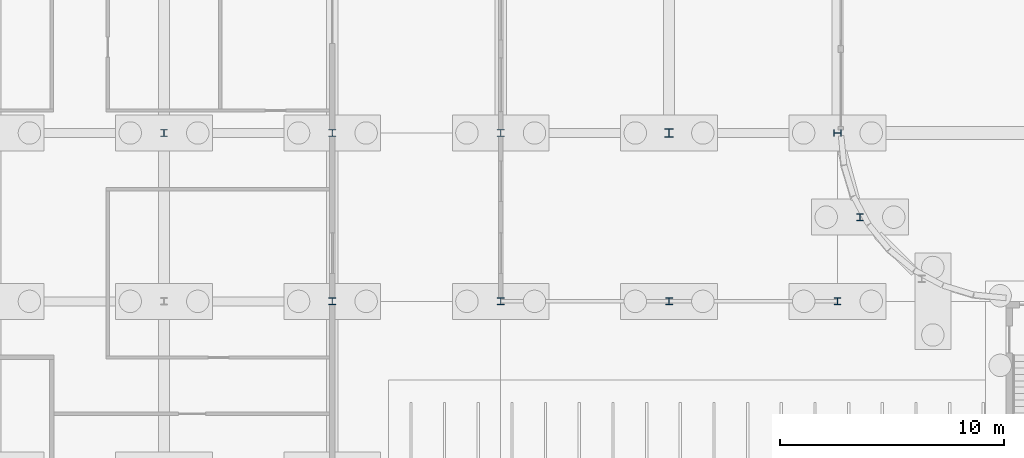
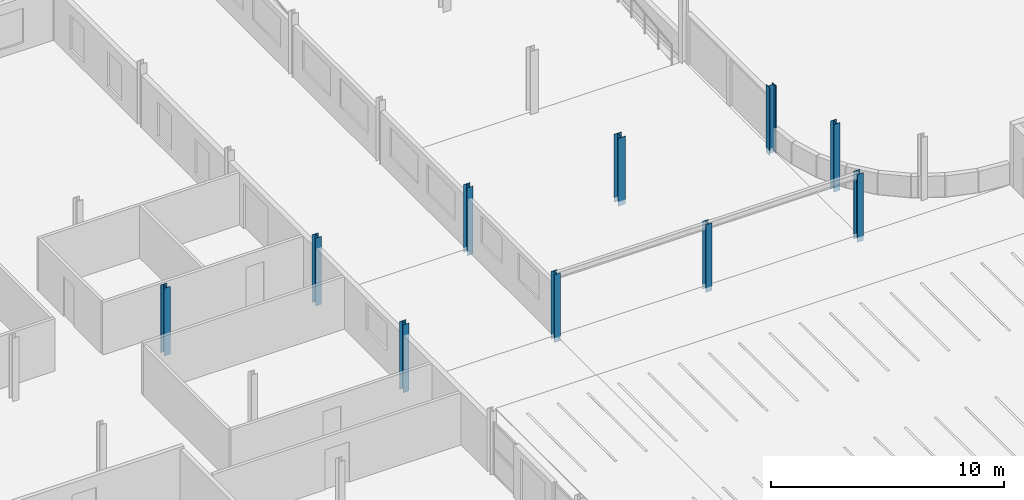
# One storey, part 27 of 130: 10 columns.
"""IFC4 building model written with IfcOpenShell, lengths in metres."""

from ifc_helpers import new_model, si_unit, direction, frame, origin, origin_2d, place, context, subcontext, project, spatial, i_section, extrude, material, material_profile, profile_set, type_object, element, save


model = new_model("IFC4")

# Units and contexts
model_context = context("Model", 3, precision=1e-05, world=origin(), true_north=direction((0.0, 1.0)))
body_context = subcontext(model_context, "Body", "Model", "MODEL_VIEW")
ifc_project = project(units=[si_unit("LENGTHUNIT", "METRE"), si_unit("AREAUNIT", "SQUARE_METRE"), si_unit("VOLUMEUNIT", "CUBIC_METRE"), si_unit("PLANEANGLEUNIT", "RADIAN"), si_unit("MASSUNIT", "GRAM", prefix="KILO")], contexts=[model_context])

# Site, building, storey
site_placement = place(None, origin())
site = spatial("IfcSite", under=ifc_project, at=site_placement, CompositionType="ELEMENT")
building_placement = place(site_placement, origin())
building = spatial("IfcBuilding", under=site, at=building_placement, Name="Parallax Yard Mobility Hub", CompositionType="ELEMENT")
storey_placement = place(building_placement, origin())
storey = spatial("IfcBuildingStorey", under=building, at=storey_placement, Name="L00", CompositionType="ELEMENT", Elevation=0.0)

# Columns
ifc_material = material(Name="Steel ASTM A992", Category="steel")
ifc_material_profile_1 = material_profile(ifc_material, i_section(OverallWidth=0.31005859375, OverallDepth=0.327880859375, WebThickness=0.015380859375, FlangeThickness=0.025146484375, FilletRadius=0.015380859375, at=origin_2d()), Name="W310x158")
ifc_profile_set_1 = profile_set([ifc_material_profile_1], Name="Steel ASTM A992")
column_type_1 = type_object("IfcColumnType", Name="W310x158 column", PredefinedType="COLUMN", material=ifc_profile_set_1)
column_1_placement = place(storey_placement, frame((195.0, 30.0, -0.25), z_axis=(0.0, 0.0, 1.0), x_axis=(0.0, 1.0, 0.0)))
element("IfcColumn", 1, at=column_1_placement, inside=storey, type_object=column_type_1, Name="Column C6 level L00 at E/27 of ramped parking decks", PredefinedType="COLUMN", context=body_context, shape_type="SweptSolid", body=[
    extrude(i_section(OverallWidth=0.31005859375, OverallDepth=0.327880859375, WebThickness=0.015380859375, FlangeThickness=0.025146484375, FilletRadius=0.015380859375, at=origin_2d()), origin(), (0.0, 0.0, 1.0), 3.550048828125),
])
ifc_material_profile_2 = material_profile(ifc_material, i_section(OverallWidth=0.304931640625, OverallDepth=0.306884765625, WebThickness=0.010009765625, FlangeThickness=0.015380859375, FilletRadius=0.01513671875, at=origin_2d()), Name="W310x97")
ifc_profile_set_2 = profile_set([ifc_material_profile_2], Name="Steel ASTM A992")
column_type_2 = type_object("IfcColumnType", Name="W310x97 column", PredefinedType="COLUMN", material=ifc_profile_set_2)
for number, where, z_axis, x_axis, name in (
    (2, (180.0, 22.5, -0.25), (0.0, 0.0, 1.0), (1.0, 0.0, 0.0), "Column C1 level L00 at D/25 of ramp house"),
    (3, (180.0, 30.0, -0.25), (0.0, 0.0, 1.0), (1.0, 0.0, 0.0), "Column C1 level L00 at E/25 of ramp house"),
    (4, (187.5, 22.5, -0.25), (0.0, 0.0, 1.0), (1.0, 0.0, 0.0), "Column C1 level L00 at D/26 of ramp house"),
    (5, (195.0, 22.5, -0.25), (0.0, 0.0, 1.0), (1.0, 0.0, 0.0), "Column C1 level L00 at D/27 of ramp house"),
    (6, (196.0048828125, 26.25, -0.25), (0.0, 0.0, 1.0), (1.0, 0.0, 0.0), "Column C1 level L00 at S-W1 of ramped parking decks"),
    (7, (165.0, 30.0, -0.25), (0.0, 0.0, 1.0), (1.0, 0.0, 0.0), "Column C1 level L00 at E/23 of bicycle and shared-mobility hall"),
    (8, (172.5, 22.5, -0.25), (0.0, 0.0, 1.0), (1.0, 0.0, 0.0), "Column C1 level L00 at D/24 of bicycle and shared-mobility hall"),
    (9, (172.5, 30.0, -0.25), (0.0, 0.0, 1.0), (1.0, 0.0, 0.0), "Column C1 level L00 at E/24 of bicycle and shared-mobility hall"),
):
    element("IfcColumn", number, at=place(storey_placement, frame(where, z_axis=z_axis, x_axis=x_axis)), inside=storey, type_object=column_type_2, Name=name, PredefinedType="COLUMN", context=body_context, shape_type="SweptSolid", body=[
        extrude(i_section(OverallWidth=0.304931640625, OverallDepth=0.306884765625, WebThickness=0.010009765625, FlangeThickness=0.015380859375, FilletRadius=0.01513671875, at=origin_2d()), origin(), (0.0, 0.0, 1.0), 3.550048828125),
    ])
ifc_material_profile_3 = material_profile(ifc_material, i_section(OverallWidth=0.373046875, OverallDepth=0.373046875, WebThickness=0.016357421875, FlangeThickness=0.026123046875, FilletRadius=0.01513671875, at=origin_2d()), Name="W360x196")
ifc_profile_set_3 = profile_set([ifc_material_profile_3], Name="Steel ASTM A992")
column_type_3 = type_object("IfcColumnType", Name="W360x196 column", PredefinedType="COLUMN", material=ifc_profile_set_3)
column_2_placement = place(storey_placement, frame((187.5, 30.0, -0.25), z_axis=(0.0, 0.0, 1.0), x_axis=(1.0, 0.0, 0.0)))
element("IfcColumn", 10, at=column_2_placement, inside=storey, type_object=column_type_3, Name="Column C8 level L00 at E/26 of ramp house", PredefinedType="COLUMN", context=body_context, shape_type="SweptSolid", body=[
    extrude(i_section(OverallWidth=0.373046875, OverallDepth=0.373046875, WebThickness=0.016357421875, FlangeThickness=0.026123046875, FilletRadius=0.01513671875, at=origin_2d()), origin(), (0.0, 0.0, 1.0), 3.550048828125),
])

save(model, "model.ifc")
